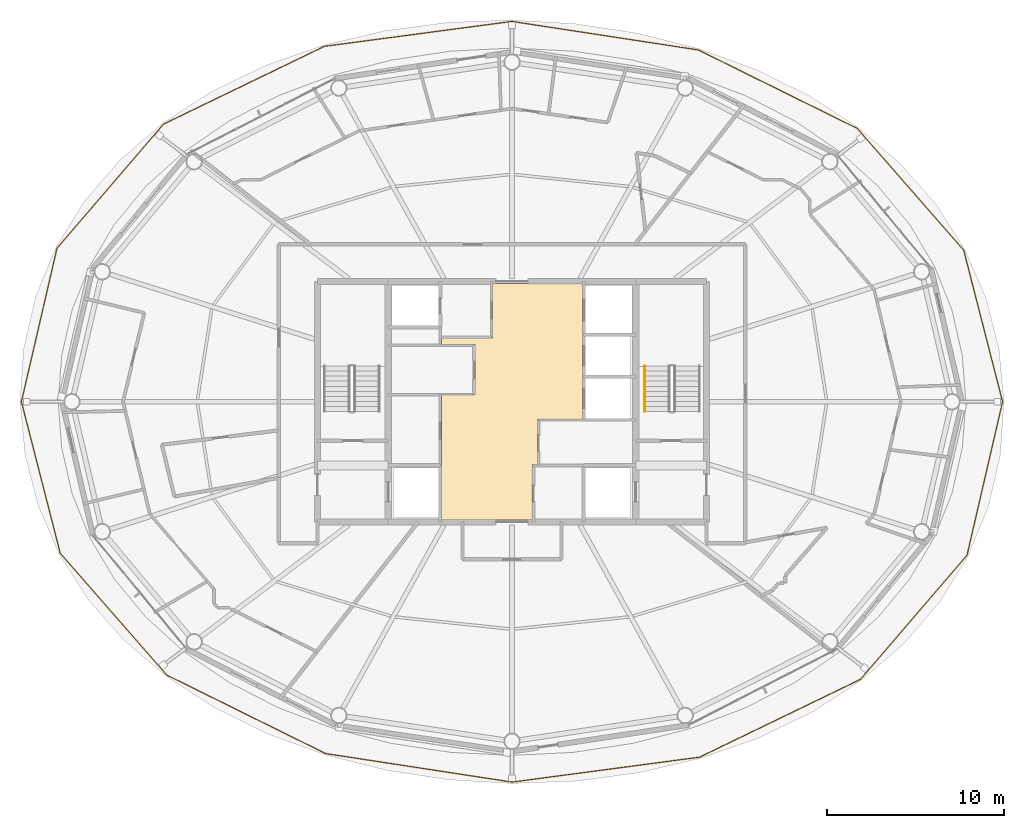
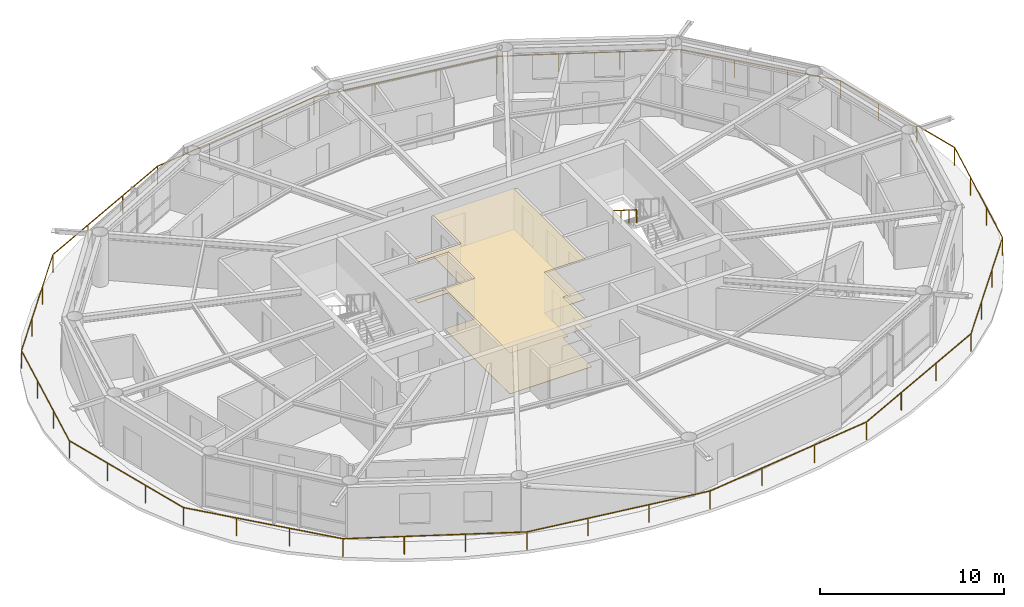
# One storey, part 21 of 22: 2 coverings, 2 railings.
"""IFC4 building model written with IfcOpenShell, lengths in metres."""

from ifc_helpers import new_model, si_unit, direction, frame, origin, origin_2d, place, context, subcontext, project, spatial, polyline, rectangle, outline, extrude, material, layer, layer_set, type_object, element, save


model = new_model("IFC4")

# Units and contexts
model_context = context("Model", 3, precision=1e-05, world=origin(), true_north=direction((0.0, 1.0)))
body_context = subcontext(model_context, "Body", "Model", "MODEL_VIEW")
ifc_project = project(units=[si_unit("LENGTHUNIT", "METRE"), si_unit("AREAUNIT", "SQUARE_METRE"), si_unit("VOLUMEUNIT", "CUBIC_METRE"), si_unit("PLANEANGLEUNIT", "RADIAN"), si_unit("MASSUNIT", "GRAM", prefix="KILO")], contexts=[model_context])

# Site, building, storey
site_placement = place(None, origin())
site = spatial("IfcSite", under=ifc_project, at=site_placement, CompositionType="ELEMENT")
building_placement = place(site_placement, origin())
building = spatial("IfcBuilding", under=site, at=building_placement, Name="Sarneth Arch Tower", CompositionType="ELEMENT")
storey_placement = place(building_placement, frame((0.0, 0.0, 305.39990234375)))
storey = spatial("IfcBuildingStorey", under=building, at=storey_placement, Name="L79", CompositionType="ELEMENT", Elevation=305.39990234375)

# Coverings
ifc_material_1 = material(Name="Perforated acoustic gypsum ceiling board")
ifc_layer_1 = layer(ifc_material_1, 0.02490234375)
ifc_layer_set_1 = layer_set([ifc_layer_1], Name="Perforated acoustic gypsum ceiling board")
covering_type_1 = type_object("IfcCoveringType", Name="COV-CEIL-GYP", PredefinedType="CEILING", material=ifc_layer_set_1)
covering_1_placement = place(storey_placement, frame((0.0, 0.0, 2.7001953125)))
element("IfcCovering", 1, at=covering_1_placement, inside=storey, type_object=covering_type_1, Name="L79 Lift lobby acoustic ceiling", PredefinedType="CEILING", context=body_context, shape_type="SweptSolid", body=[
    extrude(outline(polyline([(49.449951171875, 41.0), (49.449951171875, 38.449951171875), (49.14990234375, 38.449951171875), (49.14990234375, 35.300048828125), (44.0, 35.300048828125), (44.0, 42.39990234375), (45.89990234375, 42.39990234375), (45.89990234375, 45.25), (44.0, 45.25), (44.0, 45.60009765625), (46.89990234375, 45.60009765625), (46.89990234375, 48.699951171875), (52.0, 48.699951171875), (52.0, 41.0), (49.449951171875, 41.0)])), origin(), (0.0, 0.0, 1.0), 0.02978515625),
])
ifc_material_2 = material(Name="Honed granite stone flooring", Category="masonry")
ifc_layer_2 = layer(ifc_material_2, 0.030029296875)
ifc_layer_set_2 = layer_set([ifc_layer_2], Name="Honed granite stone flooring")
covering_type_2 = type_object("IfcCoveringType", Name="COV-FLR-STONE", PredefinedType="FLOORING", material=ifc_layer_set_2)
covering_2_placement = place(storey_placement, origin())
element("IfcCovering", 2, at=covering_2_placement, inside=storey, type_object=covering_type_2, Name="L79 Lift lobby granite flooring", PredefinedType="FLOORING", context=body_context, shape_type="SweptSolid", body=[
    extrude(outline(polyline([(49.449951171875, 41.0), (49.449951171875, 38.449951171875), (49.14990234375, 38.449951171875), (49.14990234375, 35.300048828125), (44.0, 35.300048828125), (44.0, 42.39990234375), (45.89990234375, 42.39990234375), (45.89990234375, 45.25), (44.0, 45.25), (44.0, 45.60009765625), (46.89990234375, 45.60009765625), (46.89990234375, 48.699951171875), (52.0, 48.699951171875), (52.0, 41.0), (49.449951171875, 41.0)])), origin(), (0.0, 0.0, 1.0), 0.030029296875),
])

# Railings
ifc_material_3 = material(Name="Laminated structural glass infill with Stainless Steel 316 top rail and posts", Category="steel")
railing_type_1 = type_object("IfcRailingType", Name="RAIL-BALC-1200", PredefinedType="BALUSTRADE", material=ifc_material_3)
railing_1_placement = place(storey_placement, frame((75.74267578125, 42.0, 0.0)))
element("IfcRailing", 3, at=railing_1_placement, inside=storey, type_object=railing_type_1, Name="L79 Helical balcony glass balustrade", PredefinedType="BALUSTRADE", context=body_context, shape_type="SweptSolid", body=[
    extrude(rectangle(XDim=0.048095703125, YDim=0.048095703125, at=origin_2d()), frame((0.0, 0.0, 1.17578125), z_axis=(-0.248462272677, 0.96864157409, 0.0), x_axis=(-0.96864157409, -0.248462272677, 0.0)), (0.0, 0.0, 1.0), 8.852294921875),
    extrude(rectangle(XDim=0.048095703125, YDim=0.048095703125, at=origin_2d()), frame((-2.199462890625, 8.57470703125, 1.17578125), z_axis=(-0.658436534793, 0.752636253213, 0.0), x_axis=(-0.752636253213, -0.658436534793, 0.0)), (0.0, 0.0, 1.0), 9.14111328125),
    extrude(rectangle(XDim=0.048095703125, YDim=0.048095703125, at=origin_2d()), frame((-8.21826171875, 15.45458984375, 1.17578125), z_axis=(-0.896512712596, 0.443018008836, 0.0), x_axis=(-0.443018008836, -0.896512712596, 0.0)), (0.0, 0.0, 1.0), 10.020263671875),
    extrude(rectangle(XDim=0.048095703125, YDim=0.048095703125, at=origin_2d()), frame((-17.20166015625, 19.893798828125, 1.17578125), z_axis=(-0.988476272908, 0.151375882816, 0.0), x_axis=(-0.151375882816, -0.988476272908, 0.0)), (0.0, 0.0, 1.0), 10.663818359375),
    extrude(rectangle(XDim=0.048095703125, YDim=0.048095703125, at=origin_2d()), frame((-27.74267578125, 21.508056640625, 1.17578125), z_axis=(-0.991296525193, -0.131648012289, 0.0), x_axis=(0.131648012289, -0.991296525193, 0.0)), (0.0, 0.0, 1.0), 10.698486328125),
    extrude(rectangle(XDim=0.048095703125, YDim=0.048095703125, at=origin_2d()), frame((-38.34814453125, 20.099609375, 1.17578125), z_axis=(-0.90028381954, -0.435303393365, 0.0), x_axis=(0.435303393365, -0.90028381954, 0.0)), (0.0, 0.0, 1.0), 10.1103515625),
    extrude(rectangle(XDim=0.048095703125, YDim=0.048095703125, at=origin_2d()), frame((-47.450439453125, 15.698486328125, 1.17578125), z_axis=(-0.65129120081, -0.758827893364, 0.0), x_axis=(0.758827893364, -0.65129120081, 0.0)), (0.0, 0.0, 1.0), 9.249267578125),
    extrude(rectangle(XDim=0.048095703125, YDim=0.048095703125, at=origin_2d()), frame((-53.474365234375, 8.679931640625, 1.17578125), z_axis=(-0.22570393432, -0.97419594232, 0.0), x_axis=(0.97419594232, -0.22570393432, 0.0)), (0.0, 0.0, 1.0), 8.909912109375),
    extrude(rectangle(XDim=0.048095703125, YDim=0.048095703125, at=origin_2d()), frame((-55.4853515625, 0.0, 1.17578125), z_axis=(0.248462272677, -0.96864157409, 0.0), x_axis=(0.96864157409, 0.248462272677, 0.0)), (0.0, 0.0, 1.0), 8.852294921875),
    extrude(rectangle(XDim=0.048095703125, YDim=0.048095703125, at=origin_2d()), frame((-53.285888671875, -8.57470703125, 1.17578125), z_axis=(0.658436534793, -0.752636253213, 0.0), x_axis=(0.752636253213, 0.658436534793, 0.0)), (0.0, 0.0, 1.0), 9.14111328125),
    extrude(rectangle(XDim=0.048095703125, YDim=0.048095703125, at=origin_2d()), frame((-47.26708984375, -15.45458984375, 1.17578125), z_axis=(0.896512712596, -0.443018008836, 0.0), x_axis=(0.443018008836, 0.896512712596, 0.0)), (0.0, 0.0, 1.0), 10.020263671875),
    extrude(rectangle(XDim=0.048095703125, YDim=0.048095703125, at=origin_2d()), frame((-38.28369140625, -19.893798828125, 1.17578125), z_axis=(0.988476272908, -0.151375882816, 0.0), x_axis=(0.151375882816, 0.988476272908, 0.0)), (0.0, 0.0, 1.0), 10.663818359375),
    extrude(rectangle(XDim=0.048095703125, YDim=0.048095703125, at=origin_2d()), frame((-27.74267578125, -21.508056640625, 1.17578125), z_axis=(0.991296525193, 0.131648012289, 0.0), x_axis=(-0.131648012289, 0.991296525193, 0.0)), (0.0, 0.0, 1.0), 10.698486328125),
    extrude(rectangle(XDim=0.048095703125, YDim=0.048095703125, at=origin_2d()), frame((-17.13720703125, -20.099609375, 1.17578125), z_axis=(0.90028381954, 0.435303393365, 0.0), x_axis=(-0.435303393365, 0.90028381954, 0.0)), (0.0, 0.0, 1.0), 10.1103515625),
    extrude(rectangle(XDim=0.048095703125, YDim=0.048095703125, at=origin_2d()), frame((-8.034912109375, -15.698486328125, 1.17578125), z_axis=(0.65129120081, 0.758827893364, 0.0), x_axis=(-0.758827893364, 0.65129120081, 0.0)), (0.0, 0.0, 1.0), 9.249267578125),
    extrude(rectangle(XDim=0.048095703125, YDim=0.048095703125, at=origin_2d()), frame((-2.010986328125, -8.679931640625, 1.17578125), z_axis=(0.22570393432, 0.97419594232, 0.0), x_axis=(-0.97419594232, 0.22570393432, 0.0)), (0.0, 0.0, 1.0), 8.909912109375),
    extrude(rectangle(XDim=0.0419921875, YDim=0.0419921875, at=origin_2d()), origin(), (0.0, 0.0, 1.0), 1.15185546875),
    extrude(rectangle(XDim=0.0419921875, YDim=0.0419921875, at=origin_2d()), frame((-0.733154296875, 2.858154296875, 0.0)), (0.0, 0.0, 1.0), 1.15185546875),
    extrude(rectangle(XDim=0.0419921875, YDim=0.0419921875, at=origin_2d()), frame((-1.46630859375, 5.716552734375, 0.0)), (0.0, 0.0, 1.0), 1.15185546875),
    extrude(rectangle(XDim=0.0419921875, YDim=0.0419921875, at=origin_2d()), frame((-2.199462890625, 8.57470703125, 0.0)), (0.0, 0.0, 1.0), 1.15185546875),
    extrude(rectangle(XDim=0.0419921875, YDim=0.0419921875, at=origin_2d()), frame((-4.205810546875, 10.867919921875, 0.0)), (0.0, 0.0, 1.0), 1.15185546875),
    extrude(rectangle(XDim=0.0419921875, YDim=0.0419921875, at=origin_2d()), frame((-6.2119140625, 13.161376953125, 0.0)), (0.0, 0.0, 1.0), 1.15185546875),
    extrude(rectangle(XDim=0.0419921875, YDim=0.0419921875, at=origin_2d()), frame((-8.21826171875, 15.45458984375, 0.0)), (0.0, 0.0, 1.0), 1.15185546875),
    extrude(rectangle(XDim=0.0419921875, YDim=0.0419921875, at=origin_2d()), frame((-11.212646484375, 16.934326171875, 0.0)), (0.0, 0.0, 1.0), 1.15185546875),
    extrude(rectangle(XDim=0.0419921875, YDim=0.0419921875, at=origin_2d()), frame((-14.207275390625, 18.4140625, 0.0)), (0.0, 0.0, 1.0), 1.15185546875),
    extrude(rectangle(XDim=0.0419921875, YDim=0.0419921875, at=origin_2d()), frame((-17.20166015625, 19.893798828125, 0.0)), (0.0, 0.0, 1.0), 1.15185546875),
    extrude(rectangle(XDim=0.0419921875, YDim=0.0419921875, at=origin_2d()), frame((-20.71533203125, 20.431884765625, 0.0)), (0.0, 0.0, 1.0), 1.15185546875),
    extrude(rectangle(XDim=0.0419921875, YDim=0.0419921875, at=origin_2d()), frame((-24.22900390625, 20.969970703125, 0.0)), (0.0, 0.0, 1.0), 1.15185546875),
    extrude(rectangle(XDim=0.0419921875, YDim=0.0419921875, at=origin_2d()), frame((-27.74267578125, 21.508056640625, 0.0)), (0.0, 0.0, 1.0), 1.15185546875),
    extrude(rectangle(XDim=0.0419921875, YDim=0.0419921875, at=origin_2d()), frame((-31.27783203125, 21.03857421875, 0.0)), (0.0, 0.0, 1.0), 1.15185546875),
    extrude(rectangle(XDim=0.0419921875, YDim=0.0419921875, at=origin_2d()), frame((-34.81298828125, 20.569091796875, 0.0)), (0.0, 0.0, 1.0), 1.15185546875),
    extrude(rectangle(XDim=0.0419921875, YDim=0.0419921875, at=origin_2d()), frame((-38.34814453125, 20.099609375, 0.0)), (0.0, 0.0, 1.0), 1.15185546875),
    extrude(rectangle(XDim=0.0419921875, YDim=0.0419921875, at=origin_2d()), frame((-41.38232421875, 18.632568359375, 0.0)), (0.0, 0.0, 1.0), 1.15185546875),
    extrude(rectangle(XDim=0.0419921875, YDim=0.0419921875, at=origin_2d()), frame((-44.416259765625, 17.16552734375, 0.0)), (0.0, 0.0, 1.0), 1.15185546875),
    extrude(rectangle(XDim=0.0419921875, YDim=0.0419921875, at=origin_2d()), frame((-47.450439453125, 15.698486328125, 0.0)), (0.0, 0.0, 1.0), 1.15185546875),
    extrude(rectangle(XDim=0.0419921875, YDim=0.0419921875, at=origin_2d()), frame((-49.45849609375, 13.35888671875, 0.0)), (0.0, 0.0, 1.0), 1.15185546875),
    extrude(rectangle(XDim=0.0419921875, YDim=0.0419921875, at=origin_2d()), frame((-51.46630859375, 11.01953125, 0.0)), (0.0, 0.0, 1.0), 1.15185546875),
    extrude(rectangle(XDim=0.0419921875, YDim=0.0419921875, at=origin_2d()), frame((-53.474365234375, 8.679931640625, 0.0)), (0.0, 0.0, 1.0), 1.15185546875),
    extrude(rectangle(XDim=0.0419921875, YDim=0.0419921875, at=origin_2d()), frame((-54.144775390625, 5.78662109375, 0.0)), (0.0, 0.0, 1.0), 1.15185546875),
    extrude(rectangle(XDim=0.0419921875, YDim=0.0419921875, at=origin_2d()), frame((-54.81494140625, 2.893310546875, 0.0)), (0.0, 0.0, 1.0), 1.15185546875),
    extrude(rectangle(XDim=0.0419921875, YDim=0.0419921875, at=origin_2d()), frame((-55.4853515625, 0.0, 0.0)), (0.0, 0.0, 1.0), 1.15185546875),
    extrude(rectangle(XDim=0.0419921875, YDim=0.0419921875, at=origin_2d()), frame((-54.752197265625, -2.858154296875, 0.0)), (0.0, 0.0, 1.0), 1.15185546875),
    extrude(rectangle(XDim=0.0419921875, YDim=0.0419921875, at=origin_2d()), frame((-54.01904296875, -5.716552734375, 0.0)), (0.0, 0.0, 1.0), 1.15185546875),
    extrude(rectangle(XDim=0.0419921875, YDim=0.0419921875, at=origin_2d()), frame((-53.285888671875, -8.57470703125, 0.0)), (0.0, 0.0, 1.0), 1.15185546875),
    extrude(rectangle(XDim=0.0419921875, YDim=0.0419921875, at=origin_2d()), frame((-51.279541015625, -10.867919921875, 0.0)), (0.0, 0.0, 1.0), 1.15185546875),
    extrude(rectangle(XDim=0.0419921875, YDim=0.0419921875, at=origin_2d()), frame((-49.2734375, -13.161376953125, 0.0)), (0.0, 0.0, 1.0), 1.15185546875),
    extrude(rectangle(XDim=0.0419921875, YDim=0.0419921875, at=origin_2d()), frame((-47.26708984375, -15.45458984375, 0.0)), (0.0, 0.0, 1.0), 1.15185546875),
    extrude(rectangle(XDim=0.0419921875, YDim=0.0419921875, at=origin_2d()), frame((-44.272705078125, -16.934326171875, 0.0)), (0.0, 0.0, 1.0), 1.15185546875),
    extrude(rectangle(XDim=0.0419921875, YDim=0.0419921875, at=origin_2d()), frame((-41.278076171875, -18.4140625, 0.0)), (0.0, 0.0, 1.0), 1.15185546875),
    extrude(rectangle(XDim=0.0419921875, YDim=0.0419921875, at=origin_2d()), frame((-38.28369140625, -19.893798828125, 0.0)), (0.0, 0.0, 1.0), 1.15185546875),
    extrude(rectangle(XDim=0.0419921875, YDim=0.0419921875, at=origin_2d()), frame((-34.77001953125, -20.431884765625, 0.0)), (0.0, 0.0, 1.0), 1.15185546875),
    extrude(rectangle(XDim=0.0419921875, YDim=0.0419921875, at=origin_2d()), frame((-31.25634765625, -20.969970703125, 0.0)), (0.0, 0.0, 1.0), 1.15185546875),
    extrude(rectangle(XDim=0.0419921875, YDim=0.0419921875, at=origin_2d()), frame((-27.74267578125, -21.508056640625, 0.0)), (0.0, 0.0, 1.0), 1.15185546875),
    extrude(rectangle(XDim=0.0419921875, YDim=0.0419921875, at=origin_2d()), frame((-24.20751953125, -21.03857421875, 0.0)), (0.0, 0.0, 1.0), 1.15185546875),
    extrude(rectangle(XDim=0.0419921875, YDim=0.0419921875, at=origin_2d()), frame((-20.67236328125, -20.569091796875, 0.0)), (0.0, 0.0, 1.0), 1.15185546875),
    extrude(rectangle(XDim=0.0419921875, YDim=0.0419921875, at=origin_2d()), frame((-17.13720703125, -20.099609375, 0.0)), (0.0, 0.0, 1.0), 1.15185546875),
    extrude(rectangle(XDim=0.0419921875, YDim=0.0419921875, at=origin_2d()), frame((-14.10302734375, -18.632568359375, 0.0)), (0.0, 0.0, 1.0), 1.15185546875),
    extrude(rectangle(XDim=0.0419921875, YDim=0.0419921875, at=origin_2d()), frame((-11.069091796875, -17.16552734375, 0.0)), (0.0, 0.0, 1.0), 1.15185546875),
    extrude(rectangle(XDim=0.0419921875, YDim=0.0419921875, at=origin_2d()), frame((-8.034912109375, -15.698486328125, 0.0)), (0.0, 0.0, 1.0), 1.15185546875),
    extrude(rectangle(XDim=0.0419921875, YDim=0.0419921875, at=origin_2d()), frame((-6.02685546875, -13.35888671875, 0.0)), (0.0, 0.0, 1.0), 1.15185546875),
    extrude(rectangle(XDim=0.0419921875, YDim=0.0419921875, at=origin_2d()), frame((-4.01904296875, -11.01953125, 0.0)), (0.0, 0.0, 1.0), 1.15185546875),
    extrude(rectangle(XDim=0.0419921875, YDim=0.0419921875, at=origin_2d()), frame((-2.010986328125, -8.679931640625, 0.0)), (0.0, 0.0, 1.0), 1.15185546875),
    extrude(rectangle(XDim=0.0419921875, YDim=0.0419921875, at=origin_2d()), frame((-1.340576171875, -5.78662109375, 0.0)), (0.0, 0.0, 1.0), 1.15185546875),
    extrude(rectangle(XDim=0.0419921875, YDim=0.0419921875, at=origin_2d()), frame((-0.67041015625, -2.893310546875, 0.0)), (0.0, 0.0, 1.0), 1.15185546875),
])
ifc_material_4 = material(Name="Brushed Stainless Steel 304 tubular handrail", Category="steel")
railing_type_2 = type_object("IfcRailingType", Name="RAIL-HANDRAIL-900", PredefinedType="HANDRAIL", material=ifc_material_4)
railing_2_placement = place(storey_placement, frame((55.5, 44.014892578125, 1.97998046875)))
element("IfcRailing", 4, at=railing_2_placement, inside=storey, type_object=railing_type_2, Name="L79 ST-2 stair handrail 2", PredefinedType="HANDRAIL", context=body_context, shape_type="SweptSolid", body=[
    extrude(rectangle(XDim=0.048095703125, YDim=0.048095703125, at=origin_2d()), frame((0.0, 0.0, 0.8759765625), z_axis=(0.0, -0.845465955043, 0.534029323973), x_axis=(1.0, 0.0, 0.0)), (0.0, 0.0, 1.0), 3.03369140625),
    extrude(rectangle(XDim=0.0419921875, YDim=0.0419921875, at=origin_2d()), origin(), (0.0, 0.0, 1.0), 0.851806640625),
    extrude(rectangle(XDim=0.0419921875, YDim=0.0419921875, at=origin_2d()), frame((0.0, -0.85498046875, 0.5400390625)), (0.0, 0.0, 1.0), 0.851806640625),
    extrude(rectangle(XDim=0.0419921875, YDim=0.0419921875, at=origin_2d()), frame((0.0, -1.7099609375, 1.080078125)), (0.0, 0.0, 1.0), 0.851806640625),
    extrude(rectangle(XDim=0.0419921875, YDim=0.0419921875, at=origin_2d()), frame((0.0, -2.56494140625, 1.6201171875)), (0.0, 0.0, 1.0), 0.851806640625),
])

save(model, "model.ifc")
